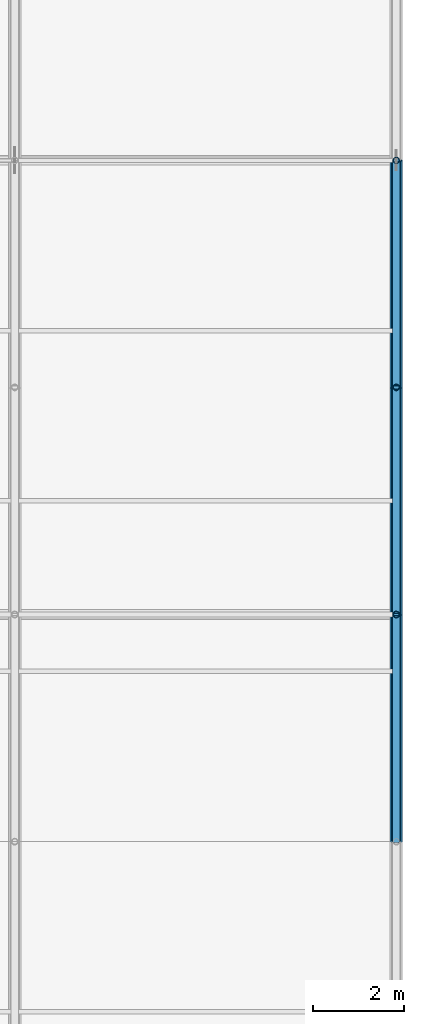
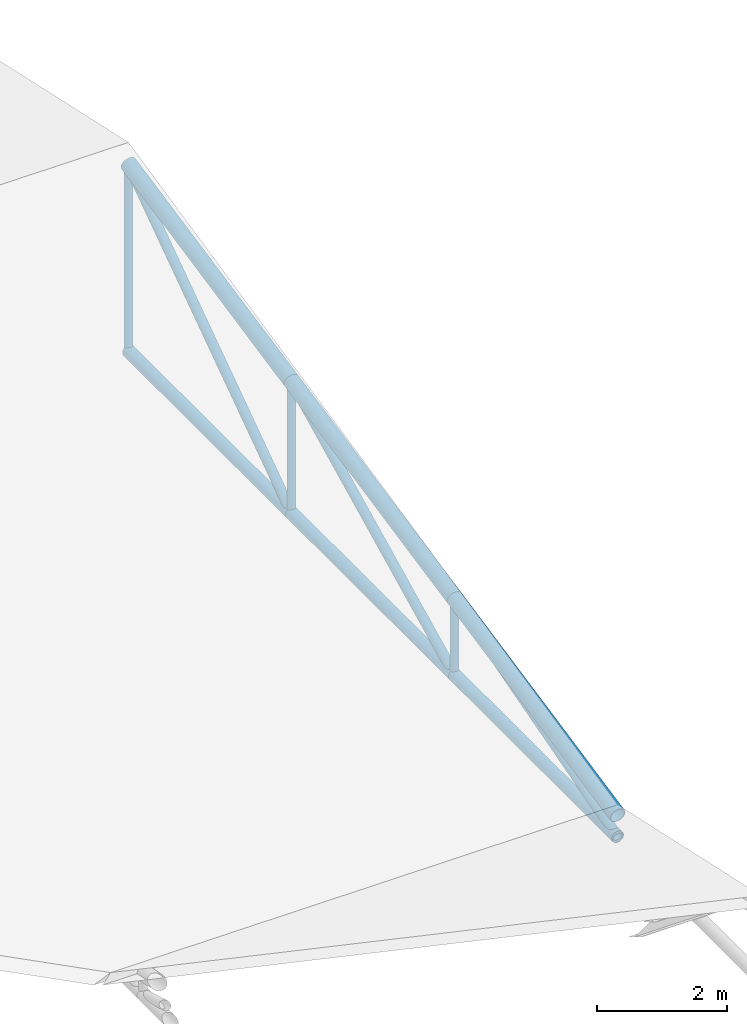
# One storey, part 115 of 194: 12 members.
"""IFC4 building model written with IfcOpenShell, lengths in metres."""

from ifc_helpers import new_model, si_unit, direction, frame, origin, origin_2d, place, context, subcontext, project, spatial, hollow_circle, extrude, material, material_profile, profile_set, type_object, element, save


model = new_model("IFC4")

# Units and contexts
model_context = context("Model", 3, precision=1e-05, world=origin(), true_north=direction((0.0, 1.0)))
body_context = subcontext(model_context, "Body", "Model", "MODEL_VIEW")
ifc_project = project(units=[si_unit("LENGTHUNIT", "METRE"), si_unit("AREAUNIT", "SQUARE_METRE"), si_unit("VOLUMEUNIT", "CUBIC_METRE"), si_unit("PLANEANGLEUNIT", "RADIAN"), si_unit("MASSUNIT", "GRAM", prefix="KILO")], contexts=[model_context])

# Site, building, storey
site_placement = place(None, origin())
site = spatial("IfcSite", under=ifc_project, at=site_placement, CompositionType="ELEMENT")
building_placement = place(site_placement, origin())
building = spatial("IfcBuilding", under=site, at=building_placement, Name="Kazenagashi Tramway Depot", CompositionType="ELEMENT")
storey_placement = place(building_placement, frame((0.0, 0.0, 23.7)))
storey = spatial("IfcBuildingStorey", under=building, at=storey_placement, Name="ROOF", CompositionType="ELEMENT", Elevation=23.7)

# Members
ifc_material = material(Name="Steel STK490", Category="steel")
ifc_material_profile_1 = material_profile(ifc_material, hollow_circle(Radius=0.1337, WallThickness=0.0093, at=origin_2d()), Name="CHS-267.4x9.3")
ifc_profile_set_1 = profile_set([ifc_material_profile_1], Name="Steel STK490")
member_type_1 = type_object("IfcMemberType", Name="TC-01", PredefinedType="CHORD", material=ifc_profile_set_1)
member_1_placement = place(storey_placement, frame((196.0, 100.0, -13.7), z_axis=(0.0, 0.979317999984, 0.202327098797), x_axis=(-1.0, 0.0, 0.0)))
element("IfcMember", 1, at=member_1_placement, inside=storey, type_object=member_type_1, Name="Tubular Space Frame TC-01 MEM-1124", PredefinedType="CHORD", context=body_context, shape_type="SweptSolid", body=[
    extrude(hollow_circle(Radius=0.1337, WallThickness=0.0093, at=origin_2d()), origin(), (0.0, 0.0, 1.0), 5.105594),
])
member_2_placement = place(storey_placement, frame((196.0, 105.0, -12.667), z_axis=(0.0, 0.979279174591, 0.202514933305), x_axis=(-1.0, 0.0, 0.0)))
element("IfcMember", 2, at=member_2_placement, inside=storey, type_object=member_type_1, Name="Tubular Space Frame TC-01 MEM-1127", PredefinedType="CHORD", context=body_context, shape_type="SweptSolid", body=[
    extrude(hollow_circle(Radius=0.1337, WallThickness=0.0093, at=origin_2d()), origin(), (0.0, 0.0, 1.0), 5.105796),
])
member_3_placement = place(storey_placement, frame((196.0, 110.0, -11.633), z_axis=(0.0, 0.979317999984, 0.202327098797), x_axis=(-1.0, 0.0, 0.0)))
element("IfcMember", 3, at=member_3_placement, inside=storey, type_object=member_type_1, Name="Tubular Space Frame TC-01 MEM-1130", PredefinedType="CHORD", context=body_context, shape_type="SweptSolid", body=[
    extrude(hollow_circle(Radius=0.1337, WallThickness=0.0093, at=origin_2d()), origin(), (0.0, 0.0, 1.0), 5.105594),
])
ifc_material_profile_2 = material_profile(ifc_material, hollow_circle(Radius=0.10815, WallThickness=0.0082, at=origin_2d()), Name="CHS-216.3x8.2")
ifc_profile_set_2 = profile_set([ifc_material_profile_2], Name="Steel STK490")
member_type_2 = type_object("IfcMemberType", Name="TC-02", PredefinedType="CHORD", material=ifc_profile_set_2)
for number, where, z_axis, x_axis, name in (
    (4, (196.0, 100.0, -14.1), (0.0, 1.0, 0.0), (-1.0, 0.0, 0.0), "Tubular Space Frame TC-02 MEM-1125"),
    (5, (196.0, 105.0, -14.1), (0.0, 1.0, 0.0), (-1.0, 0.0, 0.0), "Tubular Space Frame TC-02 MEM-1128"),
    (6, (196.0, 110.0, -14.1), (0.0, 1.0, 0.0), (-1.0, 0.0, 0.0), "Tubular Space Frame TC-02 MEM-1131"),
):
    element("IfcMember", number, at=place(storey_placement, frame(where, z_axis=z_axis, x_axis=x_axis)), inside=storey, type_object=member_type_2, Name=name, PredefinedType="CHORD", context=body_context, shape_type="SweptSolid", body=[
        extrude(hollow_circle(Radius=0.10815, WallThickness=0.0082, at=origin_2d()), origin(), (0.0, 0.0, 1.0), 5.0),
    ])
ifc_material_profile_3 = material_profile(ifc_material, hollow_circle(Radius=0.0826, WallThickness=0.0071, at=origin_2d()), Name="CHS-165.2x7.1")
ifc_profile_set_3 = profile_set([ifc_material_profile_3], Name="Steel STK490")
member_type_3 = type_object("IfcMemberType", Name="TS-01", PredefinedType="STRUT", material=ifc_profile_set_3)
member_4_placement = place(storey_placement, frame((196.0, 100.0, -14.1), z_axis=(0.0, 0.961298717795, 0.27550821252), x_axis=(-1.0, 0.0, 0.0)))
element("IfcMember", 7, at=member_4_placement, inside=storey, type_object=member_type_3, Name="Tubular Space Frame TS-01 MEM-1126", PredefinedType="STRUT", context=body_context, shape_type="SweptSolid", body=[
    extrude(hollow_circle(Radius=0.0826, WallThickness=0.0071, at=origin_2d()), origin(), (0.0, 0.0, 1.0), 5.201297),
])
member_5_placement = place(storey_placement, frame((196.0, 105.0, -14.1), z_axis=(0.0, 0.896782162482, 0.442472318969), x_axis=(-1.0, 0.0, 0.0)))
element("IfcMember", 8, at=member_5_placement, inside=storey, type_object=member_type_3, Name="Tubular Space Frame TS-01 MEM-1129", PredefinedType="STRUT", context=body_context, shape_type="SweptSolid", body=[
    extrude(hollow_circle(Radius=0.0826, WallThickness=0.0071, at=origin_2d()), origin(), (0.0, 0.0, 1.0), 5.57549),
])
member_6_placement = place(storey_placement, frame((196.0, 110.0, -14.1), z_axis=(0.0, 0.819231920519, 0.573462344363), x_axis=(-1.0, 0.0, 0.0)))
element("IfcMember", 9, at=member_6_placement, inside=storey, type_object=member_type_3, Name="Tubular Space Frame TS-01 MEM-1132", PredefinedType="STRUT", context=body_context, shape_type="SweptSolid", body=[
    extrude(hollow_circle(Radius=0.0826, WallThickness=0.0071, at=origin_2d()), origin(), (0.0, 0.0, 1.0), 6.103278),
])
ifc_material_profile_4 = material_profile(ifc_material, hollow_circle(Radius=0.0699, WallThickness=0.0066, at=origin_2d()), Name="CHS-139.8x6.6")
ifc_profile_set_4 = profile_set([ifc_material_profile_4], Name="Steel STK490")
member_type_4 = type_object("IfcMemberType", Name="TS-02", PredefinedType="STRUT", material=ifc_profile_set_4)
member_7_placement = place(storey_placement, frame((196.0, 105.0, -14.1), z_axis=(0.0, 0.0, 1.0), x_axis=(1.0, 0.0, 0.0)))
element("IfcMember", 10, at=member_7_placement, inside=storey, type_object=member_type_4, Name="Tubular Space Frame TS-02 MEM-1142", PredefinedType="STRUT", context=body_context, shape_type="SweptSolid", body=[
    extrude(hollow_circle(Radius=0.0699, WallThickness=0.0066, at=origin_2d()), origin(), (0.0, 0.0, 1.0), 1.433),
])
member_8_placement = place(storey_placement, frame((196.0, 110.0, -14.1), z_axis=(0.0, 0.0, 1.0), x_axis=(1.0, 0.0, 0.0)))
element("IfcMember", 11, at=member_8_placement, inside=storey, type_object=member_type_4, Name="Tubular Space Frame TS-02 MEM-1143", PredefinedType="STRUT", context=body_context, shape_type="SweptSolid", body=[
    extrude(hollow_circle(Radius=0.0699, WallThickness=0.0066, at=origin_2d()), origin(), (0.0, 0.0, 1.0), 2.467),
])
member_9_placement = place(storey_placement, frame((196.0, 115.0, -14.1), z_axis=(0.0, 0.0, 1.0), x_axis=(1.0, 0.0, 0.0)))
element("IfcMember", 12, at=member_9_placement, inside=storey, type_object=member_type_4, Name="Tubular Space Frame TS-02 MEM-1144", PredefinedType="STRUT", context=body_context, shape_type="SweptSolid", body=[
    extrude(hollow_circle(Radius=0.0699, WallThickness=0.0066, at=origin_2d()), origin(), (0.0, 0.0, 1.0), 3.5),
])

save(model, "model.ifc")
